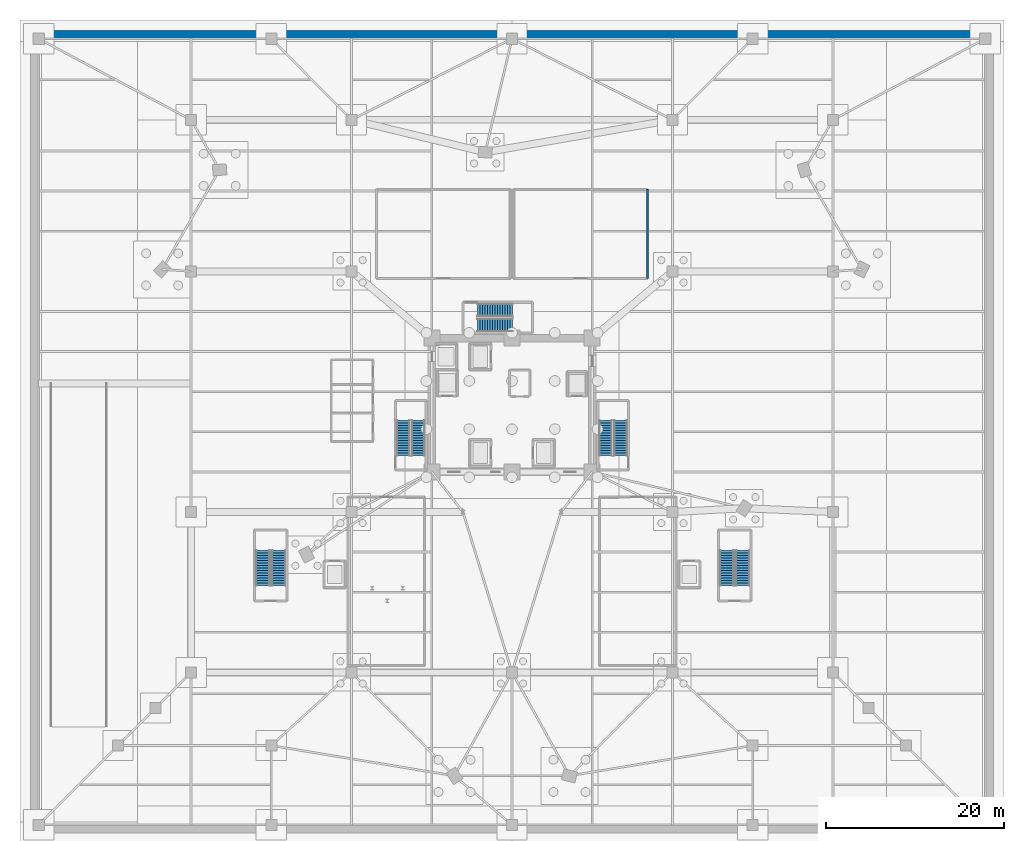
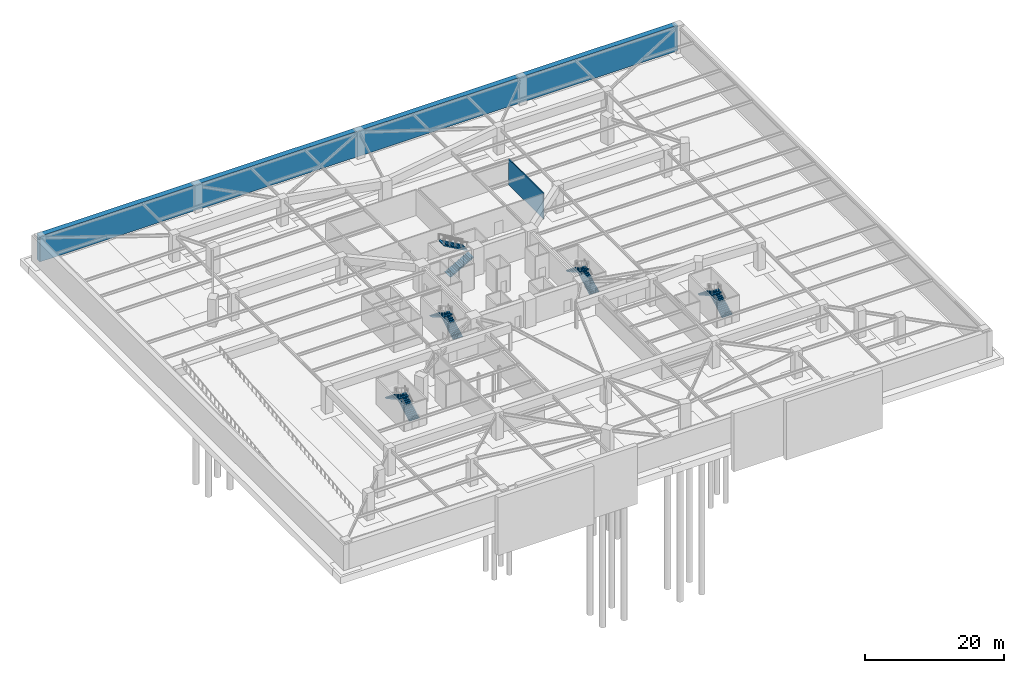
# One storey, part 13 of 19: 10 stair flights, 2 walls, 5 elements without a shape of their own.
"""IFC4 building model written with IfcOpenShell, lengths in metres."""

from ifc_helpers import new_model, si_unit, direction, frame, frame_2d, origin, place, context, subcontext, project, spatial, polyline, rectangle, outline, extrude, material, layer, layer_set, type_object, element, aggregate, save


model = new_model("IFC4")

# Units and contexts
model_context = context("Model", 3, precision=1e-05, world=origin(), true_north=direction((0.0, 1.0)))
body_context = subcontext(model_context, "Body", "Model", "MODEL_VIEW")
ifc_project = project(units=[si_unit("LENGTHUNIT", "METRE"), si_unit("AREAUNIT", "SQUARE_METRE"), si_unit("VOLUMEUNIT", "CUBIC_METRE"), si_unit("PLANEANGLEUNIT", "RADIAN"), si_unit("MASSUNIT", "GRAM", prefix="KILO")], contexts=[model_context])

# Site, building, storey
site_placement = place(None, origin())
site = spatial("IfcSite", under=ifc_project, at=site_placement, CompositionType="ELEMENT")
building_placement = place(site_placement, origin())
building = spatial("IfcBuilding", under=site, at=building_placement, Name="Liaohun Quay Tower", CompositionType="ELEMENT")
storey_placement = place(building_placement, frame((0.0, 0.0, -9.60009765625)))
storey = spatial("IfcBuildingStorey", under=building, at=storey_placement, Name="B2", CompositionType="ELEMENT", Elevation=-9.60009765625)

# Walls
ifc_material_1 = material(Name="Autoclaved aerated concrete blockwork", Category="masonry")
ifc_layer_1 = layer(ifc_material_1, 0.179931640625, Name="Autoclaved aerated concrete blockwork", Category="masonry")
ifc_layer_set_1 = layer_set([ifc_layer_1], Name="Autoclaved aerated concrete blockwork")
wall_type_1 = type_object("IfcWallType", Name="WAL-PRT-COR", PredefinedType="PARTITIONING", material=ifc_layer_set_1)
wall_1_placement = place(storey_placement, frame((75.199951171875, 68.199951171875, 0.0), z_axis=(0.0, 0.0, 1.0), x_axis=(0.0, 1.0, 0.0)))
element("IfcWall", 1, at=wall_1_placement, inside=storey, type_object=wall_type_1, Name="B2 Interior Partition Wall 028", PredefinedType="PARTITIONING", context=body_context, shape_type="SweptSolid", body=[
    extrude(rectangle(XDim=10.0, YDim=0.179931640625, at=frame_2d((5.0, 0.0))), origin(), (0.0, 0.0, 1.0), 4.5),
])
ifc_material_2 = material(Name="Concrete C50", Category="concrete")
ifc_layer_2 = layer(ifc_material_2, 0.89990234375, Name="Concrete C50", Category="concrete")
ifc_layer_set_2 = layer_set([ifc_layer_2], Name="Concrete C50")
wall_type_2 = type_object("IfcWallType", Name="WAL-RET-B2", PredefinedType="USERDEFINED", material=ifc_layer_set_2)
wall_2_placement = place(storey_placement, frame((6.89990234375, 95.550048828125, 0.0), z_axis=(0.0, 0.0, 1.0), x_axis=(1.0, 0.0, 0.0)))
element("IfcWall", 2, at=wall_2_placement, inside=storey, type_object=wall_type_2, Name="B2 Waterproof Retaining Wall N", ObjectType="RETAINING WALL", PredefinedType="USERDEFINED", context=body_context, shape_type="SweptSolid", body=[
    extrude(rectangle(XDim=106.2001953125, YDim=0.89990234375, at=frame_2d((53.10009765625, 0.0))), origin(), (0.0, 0.0, 1.0), 4.5),
])

# Stair, stair flights
ifc_material_3 = material(Name="Concrete C45", Category="concrete")
stair_type_1 = type_object("IfcStairType", Name="STR-CORE-CRN", PredefinedType="HALF_TURN_STAIR", material=ifc_material_3)
stair_1_placement = place(storey_placement, origin())
stair_1 = element("IfcStair", 3, at=stair_1_placement, inside=storey, type_object=stair_type_1, Name="B2 Smokeproof Core Exit Stair ST-1", PredefinedType="HALF_TURN_STAIR")
stair_flight_type_1 = type_object("IfcStairFlightType", Name="FLT-CORE-155", PredefinedType="STRAIGHT", material=ifc_material_3)
stair_flight_1_placement = place(storey_placement, frame((49.5048828125, 48.35009765625, 0.0), z_axis=(0.0, 0.0, 1.0), x_axis=(0.0, 1.0, 0.0)))
stair_flight_1 = element("IfcStairFlight", 4, at=stair_flight_1_placement, type_object=stair_flight_type_1, Name="ST-1 flight 1", NumberOfRisers=15, NumberOfTreads=14, PredefinedType="STRAIGHT", RiserHeight=0.16, TreadLength=0.28, context=body_context, shape_type="SweptSolid", body=[
    extrude(outline(polyline([(0.0, 0.0), (0.0, 0.159912109375), (0.280029296875, 0.159912109375), (0.280029296875, 0.320068359375), (0.56005859375, 0.320068359375), (0.56005859375, 0.47998046875), (0.840087890625, 0.47998046875), (0.840087890625, 0.639892578125), (1.1201171875, 0.639892578125), (1.1201171875, 0.800048828125), (1.39990234375, 0.800048828125), (1.39990234375, 0.9599609375), (1.679931640625, 0.9599609375), (1.679931640625, 1.1201171875), (1.9599609375, 1.1201171875), (1.9599609375, 1.280029296875), (2.239990234375, 1.280029296875), (2.239990234375, 1.43994140625), (2.52001953125, 1.43994140625), (2.52001953125, 1.60009765625), (2.800048828125, 1.60009765625), (2.800048828125, 1.760009765625), (3.080078125, 1.760009765625), (3.080078125, 1.919921875), (3.360107421875, 1.919921875), (3.360107421875, 2.080078125), (3.639892578125, 2.080078125), (3.639892578125, 2.239990234375), (3.919921875, 2.239990234375), (3.919921875, 2.39990234375), (3.919921875, 2.0673828125), (0.30224609375, 0.0), (0.0, 0.0)])), frame((0.0, 0.77490234375, 0.0), z_axis=(0.0, -1.0, 0.0), x_axis=(1.0, 0.0, 0.0)), (0.0, 0.0, 1.0), 1.550048828125),
])
stair_flight_2_placement = place(storey_placement, frame((47.81494140625, 52.27001953125, 2.400146484375), z_axis=(0.0, 0.0, 1.0), x_axis=(0.0, -1.0, 0.0)))
stair_flight_2 = element("IfcStairFlight", 5, at=stair_flight_2_placement, type_object=stair_flight_type_1, Name="ST-1 flight 2", NumberOfRisers=15, NumberOfTreads=14, PredefinedType="STRAIGHT", RiserHeight=0.16, TreadLength=0.28, context=body_context, shape_type="SweptSolid", body=[
    extrude(outline(polyline([(0.0, 0.0), (0.0, 0.159912109375), (0.280029296875, 0.159912109375), (0.280029296875, 0.320068359375), (0.56005859375, 0.320068359375), (0.56005859375, 0.47998046875), (0.840087890625, 0.47998046875), (0.840087890625, 0.639892578125), (1.1201171875, 0.639892578125), (1.1201171875, 0.800048828125), (1.39990234375, 0.800048828125), (1.39990234375, 0.9599609375), (1.679931640625, 0.9599609375), (1.679931640625, 1.1201171875), (1.9599609375, 1.1201171875), (1.9599609375, 1.280029296875), (2.239990234375, 1.280029296875), (2.239990234375, 1.43994140625), (2.52001953125, 1.43994140625), (2.52001953125, 1.60009765625), (2.800048828125, 1.60009765625), (2.800048828125, 1.760009765625), (3.080078125, 1.760009765625), (3.080078125, 1.919921875), (3.360107421875, 1.919921875), (3.360107421875, 2.080078125), (3.639892578125, 2.080078125), (3.639892578125, 2.239990234375), (3.919921875, 2.239990234375), (3.919921875, 2.39990234375), (3.919921875, 2.0673828125), (0.30224609375, 0.0), (0.0, 0.0)])), frame((0.0, 0.77490234375, 0.0), z_axis=(0.0, -1.0, 0.0), x_axis=(1.0, 0.0, 0.0)), (0.0, 0.0, 1.0), 1.550048828125),
])
aggregate(stair_1, [stair_flight_1, stair_flight_2])

stair_2_placement = place(storey_placement, origin())
stair_2 = element("IfcStair", 6, at=stair_2_placement, inside=storey, type_object=stair_type_1, Name="B2 Smokeproof Core Exit Stair ST-2", PredefinedType="HALF_TURN_STAIR")
stair_flight_3_placement = place(storey_placement, frame((72.18505859375, 48.35009765625, 0.0), z_axis=(0.0, 0.0, 1.0), x_axis=(0.0, 1.0, 0.0)))
stair_flight_3 = element("IfcStairFlight", 7, at=stair_flight_3_placement, type_object=stair_flight_type_1, Name="ST-2 flight 1", NumberOfRisers=15, NumberOfTreads=14, PredefinedType="STRAIGHT", RiserHeight=0.16, TreadLength=0.28, context=body_context, shape_type="SweptSolid", body=[
    extrude(outline(polyline([(0.0, 0.0), (0.0, 0.159912109375), (0.280029296875, 0.159912109375), (0.280029296875, 0.320068359375), (0.56005859375, 0.320068359375), (0.56005859375, 0.47998046875), (0.840087890625, 0.47998046875), (0.840087890625, 0.639892578125), (1.1201171875, 0.639892578125), (1.1201171875, 0.800048828125), (1.39990234375, 0.800048828125), (1.39990234375, 0.9599609375), (1.679931640625, 0.9599609375), (1.679931640625, 1.1201171875), (1.9599609375, 1.1201171875), (1.9599609375, 1.280029296875), (2.239990234375, 1.280029296875), (2.239990234375, 1.43994140625), (2.52001953125, 1.43994140625), (2.52001953125, 1.60009765625), (2.800048828125, 1.60009765625), (2.800048828125, 1.760009765625), (3.080078125, 1.760009765625), (3.080078125, 1.919921875), (3.360107421875, 1.919921875), (3.360107421875, 2.080078125), (3.639892578125, 2.080078125), (3.639892578125, 2.239990234375), (3.919921875, 2.239990234375), (3.919921875, 2.39990234375), (3.919921875, 2.0673828125), (0.30224609375, 0.0), (0.0, 0.0)])), frame((0.0, 0.77490234375, 0.0), z_axis=(0.0, -1.0, 0.0), x_axis=(1.0, 0.0, 0.0)), (0.0, 0.0, 1.0), 1.550048828125),
])
stair_flight_4_placement = place(storey_placement, frame((70.4951171875, 52.27001953125, 2.400146484375), z_axis=(0.0, 0.0, 1.0), x_axis=(0.0, -1.0, 0.0)))
stair_flight_4 = element("IfcStairFlight", 8, at=stair_flight_4_placement, type_object=stair_flight_type_1, Name="ST-2 flight 2", NumberOfRisers=15, NumberOfTreads=14, PredefinedType="STRAIGHT", RiserHeight=0.16, TreadLength=0.28, context=body_context, shape_type="SweptSolid", body=[
    extrude(outline(polyline([(0.0, 0.0), (0.0, 0.159912109375), (0.280029296875, 0.159912109375), (0.280029296875, 0.320068359375), (0.56005859375, 0.320068359375), (0.56005859375, 0.47998046875), (0.840087890625, 0.47998046875), (0.840087890625, 0.639892578125), (1.1201171875, 0.639892578125), (1.1201171875, 0.800048828125), (1.39990234375, 0.800048828125), (1.39990234375, 0.9599609375), (1.679931640625, 0.9599609375), (1.679931640625, 1.1201171875), (1.9599609375, 1.1201171875), (1.9599609375, 1.280029296875), (2.239990234375, 1.280029296875), (2.239990234375, 1.43994140625), (2.52001953125, 1.43994140625), (2.52001953125, 1.60009765625), (2.800048828125, 1.60009765625), (2.800048828125, 1.760009765625), (3.080078125, 1.760009765625), (3.080078125, 1.919921875), (3.360107421875, 1.919921875), (3.360107421875, 2.080078125), (3.639892578125, 2.080078125), (3.639892578125, 2.239990234375), (3.919921875, 2.239990234375), (3.919921875, 2.39990234375), (3.919921875, 2.0673828125), (0.30224609375, 0.0), (0.0, 0.0)])), frame((0.0, 0.77490234375, 0.0), z_axis=(0.0, -1.0, 0.0), x_axis=(1.0, 0.0, 0.0)), (0.0, 0.0, 1.0), 1.550048828125),
])
aggregate(stair_2, [stair_flight_3, stair_flight_4])

stair_3_placement = place(storey_placement, origin())
stair_3 = element("IfcStair", 9, at=stair_3_placement, inside=storey, type_object=stair_type_1, Name="B2 Smokeproof Core Exit Stair ST-3", PredefinedType="HALF_TURN_STAIR")
stair_flight_5_placement = place(storey_placement, frame((56.14990234375, 62.97509765625, 0.0), z_axis=(0.0, 0.0, 1.0), x_axis=(1.0, 0.0, 0.0)))
stair_flight_5 = element("IfcStairFlight", 10, at=stair_flight_5_placement, type_object=stair_flight_type_1, Name="ST-3 flight 1", NumberOfRisers=15, NumberOfTreads=14, PredefinedType="STRAIGHT", RiserHeight=0.16, TreadLength=0.28, context=body_context, shape_type="SweptSolid", body=[
    extrude(outline(polyline([(0.0, 0.0), (0.0, 0.159912109375), (0.280029296875, 0.159912109375), (0.280029296875, 0.320068359375), (0.56005859375, 0.320068359375), (0.56005859375, 0.47998046875), (0.840087890625, 0.47998046875), (0.840087890625, 0.639892578125), (1.1201171875, 0.639892578125), (1.1201171875, 0.800048828125), (1.39990234375, 0.800048828125), (1.39990234375, 0.9599609375), (1.679931640625, 0.9599609375), (1.679931640625, 1.1201171875), (1.9599609375, 1.1201171875), (1.9599609375, 1.280029296875), (2.239990234375, 1.280029296875), (2.239990234375, 1.43994140625), (2.52001953125, 1.43994140625), (2.52001953125, 1.60009765625), (2.800048828125, 1.60009765625), (2.800048828125, 1.760009765625), (3.080078125, 1.760009765625), (3.080078125, 1.919921875), (3.360107421875, 1.919921875), (3.360107421875, 2.080078125), (3.639892578125, 2.080078125), (3.639892578125, 2.239990234375), (3.919921875, 2.239990234375), (3.919921875, 2.39990234375), (3.919921875, 2.0673828125), (0.30224609375, 0.0), (0.0, 0.0)])), frame((0.0, 0.77490234375, 0.0), z_axis=(0.0, -1.0, 0.0), x_axis=(1.0, 0.0, 0.0)), (0.0, 0.0, 1.0), 1.550048828125),
])
stair_flight_6_placement = place(storey_placement, frame((60.070068359375, 64.6650390625, 2.400146484375), z_axis=(0.0, 0.0, 1.0), x_axis=(-1.0, 0.0, 0.0)))
stair_flight_6 = element("IfcStairFlight", 11, at=stair_flight_6_placement, type_object=stair_flight_type_1, Name="ST-3 flight 2", NumberOfRisers=15, NumberOfTreads=14, PredefinedType="STRAIGHT", RiserHeight=0.16, TreadLength=0.28, context=body_context, shape_type="SweptSolid", body=[
    extrude(outline(polyline([(0.0, 0.0), (0.0, 0.159912109375), (0.280029296875, 0.159912109375), (0.280029296875, 0.320068359375), (0.56005859375, 0.320068359375), (0.56005859375, 0.47998046875), (0.840087890625, 0.47998046875), (0.840087890625, 0.639892578125), (1.1201171875, 0.639892578125), (1.1201171875, 0.800048828125), (1.39990234375, 0.800048828125), (1.39990234375, 0.9599609375), (1.679931640625, 0.9599609375), (1.679931640625, 1.1201171875), (1.9599609375, 1.1201171875), (1.9599609375, 1.280029296875), (2.239990234375, 1.280029296875), (2.239990234375, 1.43994140625), (2.52001953125, 1.43994140625), (2.52001953125, 1.60009765625), (2.800048828125, 1.60009765625), (2.800048828125, 1.760009765625), (3.080078125, 1.760009765625), (3.080078125, 1.919921875), (3.360107421875, 1.919921875), (3.360107421875, 2.080078125), (3.639892578125, 2.080078125), (3.639892578125, 2.239990234375), (3.919921875, 2.239990234375), (3.919921875, 2.39990234375), (3.919921875, 2.0673828125), (0.30224609375, 0.0), (0.0, 0.0)])), frame((0.0, 0.77490234375, 0.0), z_axis=(0.0, -1.0, 0.0), x_axis=(1.0, 0.0, 0.0)), (0.0, 0.0, 1.0), 1.550048828125),
])
aggregate(stair_3, [stair_flight_5, stair_flight_6])

stair_type_2 = type_object("IfcStairType", Name="STR-POD-EXIT", PredefinedType="TWO_STRAIGHT_RUN_STAIR", material=ifc_material_3)
stair_4_placement = place(storey_placement, origin())
stair_4 = element("IfcStair", 12, at=stair_4_placement, inside=storey, type_object=stair_type_2, Name="B2 Podium Smokeproof Exit Stair ST-P1", PredefinedType="TWO_STRAIGHT_RUN_STAIR")
stair_flight_type_2 = type_object("IfcStairFlightType", Name="FLT-POD-165", PredefinedType="STRAIGHT", material=ifc_material_3)
stair_flight_7_placement = place(storey_placement, frame((33.81494140625, 33.75, 0.0), z_axis=(0.0, 0.0, 1.0), x_axis=(0.0, 1.0, 0.0)))
stair_flight_7 = element("IfcStairFlight", 13, at=stair_flight_7_placement, type_object=stair_flight_type_2, Name="ST-P1 flight 1", NumberOfRisers=15, NumberOfTreads=14, PredefinedType="STRAIGHT", RiserHeight=0.16, TreadLength=0.28, context=body_context, shape_type="SweptSolid", body=[
    extrude(outline(polyline([(0.0, 0.0), (0.0, 0.159912109375), (0.280029296875, 0.159912109375), (0.280029296875, 0.320068359375), (0.56005859375, 0.320068359375), (0.56005859375, 0.47998046875), (0.840087890625, 0.47998046875), (0.840087890625, 0.639892578125), (1.1201171875, 0.639892578125), (1.1201171875, 0.800048828125), (1.39990234375, 0.800048828125), (1.39990234375, 0.9599609375), (1.679931640625, 0.9599609375), (1.679931640625, 1.1201171875), (1.9599609375, 1.1201171875), (1.9599609375, 1.280029296875), (2.239990234375, 1.280029296875), (2.239990234375, 1.43994140625), (2.52001953125, 1.43994140625), (2.52001953125, 1.60009765625), (2.800048828125, 1.60009765625), (2.800048828125, 1.760009765625), (3.080078125, 1.760009765625), (3.080078125, 1.919921875), (3.360107421875, 1.919921875), (3.360107421875, 2.080078125), (3.639892578125, 2.080078125), (3.639892578125, 2.239990234375), (3.919921875, 2.239990234375), (3.919921875, 2.39990234375), (3.919921875, 2.0673828125), (0.30224609375, 0.0), (0.0, 0.0)])), frame((0.0, 0.824951171875, 0.0), z_axis=(0.0, -1.0, 0.0), x_axis=(1.0, 0.0, 0.0)), (0.0, 0.0, 1.0), 1.64990234375),
])
stair_flight_8_placement = place(storey_placement, frame((32.02490234375, 37.669921875, 2.400146484375), z_axis=(0.0, 0.0, 1.0), x_axis=(0.0, -1.0, 0.0)))
stair_flight_8 = element("IfcStairFlight", 14, at=stair_flight_8_placement, type_object=stair_flight_type_2, Name="ST-P1 flight 2", NumberOfRisers=15, NumberOfTreads=14, PredefinedType="STRAIGHT", RiserHeight=0.16, TreadLength=0.28, context=body_context, shape_type="SweptSolid", body=[
    extrude(outline(polyline([(0.0, 0.0), (0.0, 0.159912109375), (0.280029296875, 0.159912109375), (0.280029296875, 0.320068359375), (0.56005859375, 0.320068359375), (0.56005859375, 0.47998046875), (0.840087890625, 0.47998046875), (0.840087890625, 0.639892578125), (1.1201171875, 0.639892578125), (1.1201171875, 0.800048828125), (1.39990234375, 0.800048828125), (1.39990234375, 0.9599609375), (1.679931640625, 0.9599609375), (1.679931640625, 1.1201171875), (1.9599609375, 1.1201171875), (1.9599609375, 1.280029296875), (2.239990234375, 1.280029296875), (2.239990234375, 1.43994140625), (2.52001953125, 1.43994140625), (2.52001953125, 1.60009765625), (2.800048828125, 1.60009765625), (2.800048828125, 1.760009765625), (3.080078125, 1.760009765625), (3.080078125, 1.919921875), (3.360107421875, 1.919921875), (3.360107421875, 2.080078125), (3.639892578125, 2.080078125), (3.639892578125, 2.239990234375), (3.919921875, 2.239990234375), (3.919921875, 2.39990234375), (3.919921875, 2.0673828125), (0.30224609375, 0.0), (0.0, 0.0)])), frame((0.0, 0.824951171875, 0.0), z_axis=(0.0, -1.0, 0.0), x_axis=(1.0, 0.0, 0.0)), (0.0, 0.0, 1.0), 1.64990234375),
])
aggregate(stair_4, [stair_flight_7, stair_flight_8])

stair_5_placement = place(storey_placement, origin())
stair_5 = element("IfcStair", 15, at=stair_5_placement, inside=storey, type_object=stair_type_2, Name="B2 Podium Smokeproof Exit Stair ST-P2", PredefinedType="TWO_STRAIGHT_RUN_STAIR")
stair_flight_9_placement = place(storey_placement, frame((85.875, 33.75, 0.0), z_axis=(0.0, 0.0, 1.0), x_axis=(0.0, 1.0, 0.0)))
stair_flight_9 = element("IfcStairFlight", 16, at=stair_flight_9_placement, type_object=stair_flight_type_2, Name="ST-P2 flight 1", NumberOfRisers=15, NumberOfTreads=14, PredefinedType="STRAIGHT", RiserHeight=0.16, TreadLength=0.28, context=body_context, shape_type="SweptSolid", body=[
    extrude(outline(polyline([(0.0, 0.0), (0.0, 0.159912109375), (0.280029296875, 0.159912109375), (0.280029296875, 0.320068359375), (0.56005859375, 0.320068359375), (0.56005859375, 0.47998046875), (0.840087890625, 0.47998046875), (0.840087890625, 0.639892578125), (1.1201171875, 0.639892578125), (1.1201171875, 0.800048828125), (1.39990234375, 0.800048828125), (1.39990234375, 0.9599609375), (1.679931640625, 0.9599609375), (1.679931640625, 1.1201171875), (1.9599609375, 1.1201171875), (1.9599609375, 1.280029296875), (2.239990234375, 1.280029296875), (2.239990234375, 1.43994140625), (2.52001953125, 1.43994140625), (2.52001953125, 1.60009765625), (2.800048828125, 1.60009765625), (2.800048828125, 1.760009765625), (3.080078125, 1.760009765625), (3.080078125, 1.919921875), (3.360107421875, 1.919921875), (3.360107421875, 2.080078125), (3.639892578125, 2.080078125), (3.639892578125, 2.239990234375), (3.919921875, 2.239990234375), (3.919921875, 2.39990234375), (3.919921875, 2.0673828125), (0.30224609375, 0.0), (0.0, 0.0)])), frame((0.0, 0.824951171875, 0.0), z_axis=(0.0, -1.0, 0.0), x_axis=(1.0, 0.0, 0.0)), (0.0, 0.0, 1.0), 1.64990234375),
])
stair_flight_10_placement = place(storey_placement, frame((84.0849609375, 37.669921875, 2.400146484375), z_axis=(0.0, 0.0, 1.0), x_axis=(0.0, -1.0, 0.0)))
stair_flight_10 = element("IfcStairFlight", 17, at=stair_flight_10_placement, type_object=stair_flight_type_2, Name="ST-P2 flight 2", NumberOfRisers=15, NumberOfTreads=14, PredefinedType="STRAIGHT", RiserHeight=0.16, TreadLength=0.28, context=body_context, shape_type="SweptSolid", body=[
    extrude(outline(polyline([(0.0, 0.0), (0.0, 0.159912109375), (0.280029296875, 0.159912109375), (0.280029296875, 0.320068359375), (0.56005859375, 0.320068359375), (0.56005859375, 0.47998046875), (0.840087890625, 0.47998046875), (0.840087890625, 0.639892578125), (1.1201171875, 0.639892578125), (1.1201171875, 0.800048828125), (1.39990234375, 0.800048828125), (1.39990234375, 0.9599609375), (1.679931640625, 0.9599609375), (1.679931640625, 1.1201171875), (1.9599609375, 1.1201171875), (1.9599609375, 1.280029296875), (2.239990234375, 1.280029296875), (2.239990234375, 1.43994140625), (2.52001953125, 1.43994140625), (2.52001953125, 1.60009765625), (2.800048828125, 1.60009765625), (2.800048828125, 1.760009765625), (3.080078125, 1.760009765625), (3.080078125, 1.919921875), (3.360107421875, 1.919921875), (3.360107421875, 2.080078125), (3.639892578125, 2.080078125), (3.639892578125, 2.239990234375), (3.919921875, 2.239990234375), (3.919921875, 2.39990234375), (3.919921875, 2.0673828125), (0.30224609375, 0.0), (0.0, 0.0)])), frame((0.0, 0.824951171875, 0.0), z_axis=(0.0, -1.0, 0.0), x_axis=(1.0, 0.0, 0.0)), (0.0, 0.0, 1.0), 1.64990234375),
])
aggregate(stair_5, [stair_flight_9, stair_flight_10])

save(model, "model.ifc")
